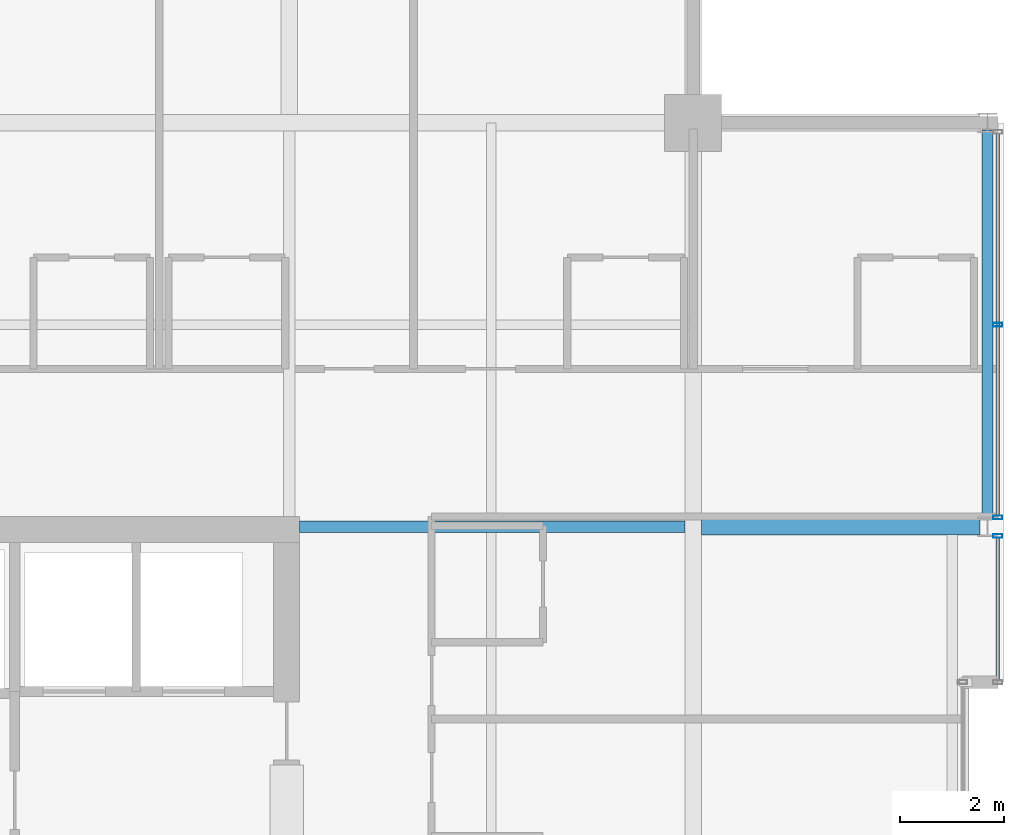
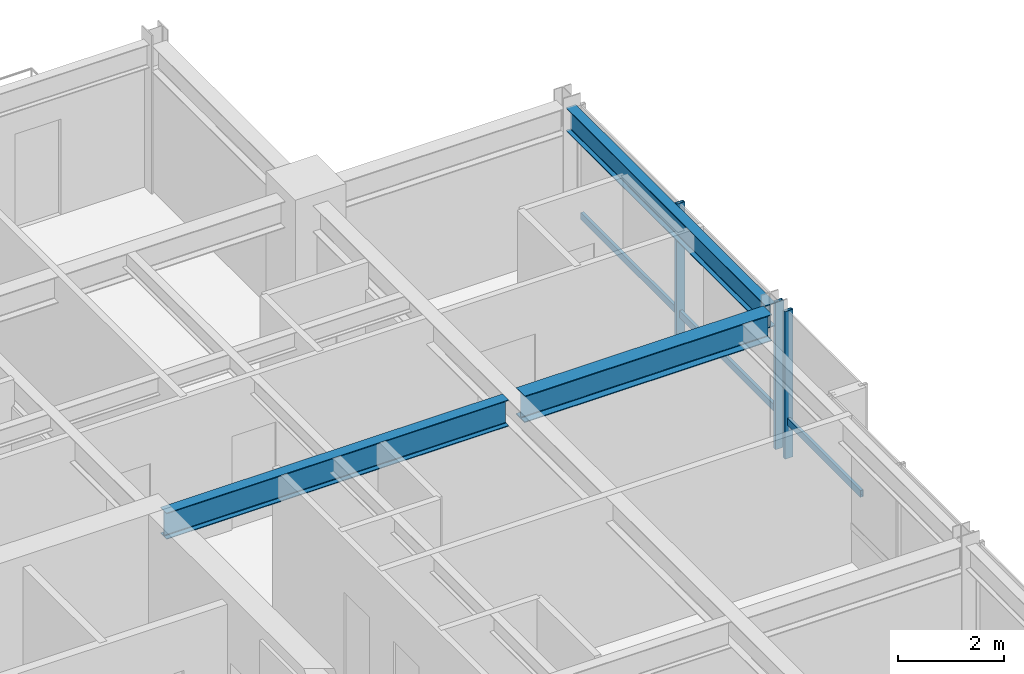
# One storey, part 22 of 32: 5 members, 3 beams, 2 elements without a shape of their own.
"""IFC4 building model written with IfcOpenShell, lengths in metres."""

from ifc_helpers import new_model, si_unit, direction, frame, origin, origin_2d, place, context, subcontext, project, spatial, hollow_rectangle, i_section, extrude, material, layer, layer_set, material_profile, profile_set, type_object, element, aggregate, save


model = new_model("IFC4")

# Units and contexts
model_context = context("Model", 3, precision=1e-05, world=origin(), true_north=direction((0.0, 1.0)))
body_context = subcontext(model_context, "Body", "Model", "MODEL_VIEW")
ifc_project = project(units=[si_unit("LENGTHUNIT", "METRE"), si_unit("AREAUNIT", "SQUARE_METRE"), si_unit("VOLUMEUNIT", "CUBIC_METRE"), si_unit("PLANEANGLEUNIT", "RADIAN"), si_unit("MASSUNIT", "GRAM", prefix="KILO")], contexts=[model_context])

# Site, building, storey
site_placement = place(None, origin())
site = spatial("IfcSite", under=ifc_project, at=site_placement, CompositionType="ELEMENT")
building_placement = place(site_placement, origin())
building = spatial("IfcBuilding", under=site, at=building_placement, Name="Drelvath Grand Hotel", CompositionType="ELEMENT")
storey_placement = place(building_placement, frame((0.0, 0.0, 265.0)))
storey = spatial("IfcBuildingStorey", under=building, at=storey_placement, Name="L69", CompositionType="ELEMENT", Elevation=265.0)

# Curtain wall, member
ifc_material_1 = material(Name="Platinum-Mist Anodised Aluminium Frame", Category="aluminium")
ifc_layer = layer(ifc_material_1, 0.199951171875)
ifc_layer_set = layer_set([ifc_layer], Name="Platinum-Mist Anodised Aluminium Frame")
curtain_wall_type = type_object("IfcCurtainWallType", Name="Stick Curtain Wall CW-05 Platinum Mist High-Rise", PredefinedType="NOTDEFINED", material=ifc_layer_set)
curtain_wall_1_placement = place(storey_placement, origin())
curtain_wall_1 = element("IfcCurtainWall", 1, at=curtain_wall_1_placement, inside=storey, type_object=curtain_wall_type, Name="L69 CW-05 Curtain Wall CW05-L69-EN1", PredefinedType="NOTDEFINED")
ifc_material_profile_1 = material_profile(ifc_material_1, hollow_rectangle(XDim=0.06494140625, YDim=0.159912109375, WallThickness=0.00390625, at=origin_2d()), Name="HSS160X65X4")
ifc_profile_set_1 = profile_set([ifc_material_profile_1], Name="Platinum-Mist Anodised Aluminium Frame")
member_type_1 = type_object("IfcMemberType", Name="Curtain Wall Horizontal Transom CW-05 HSS160X65X4", PredefinedType="USERDEFINED", material=ifc_profile_set_1)
member_1_placement = place(storey_placement, frame((22.080078125, 35.181884765625, 0.847412109375), z_axis=(0.0, -1.0, 0.0), x_axis=(1.0, 0.0, 0.0)))
member_1 = element("IfcMember", 2, at=member_1_placement, type_object=member_type_1, Name="CW05-L69-EN1 Sill Transom", ObjectType="TRANSOM", PredefinedType="USERDEFINED", context=body_context, shape_type="SweptSolid", body=[
    extrude(hollow_rectangle(XDim=0.06494140625, YDim=0.159912109375, WallThickness=0.00390625, at=origin_2d()), origin(), (0.0, 0.0, 1.0), 2.741943359375),
])

curtain_wall_2_placement = place(storey_placement, origin())
curtain_wall_2 = element("IfcCurtainWall", 3, at=curtain_wall_2_placement, inside=storey, type_object=curtain_wall_type, Name="L69 CW-05 Curtain Wall CW05-L69-EN2", PredefinedType="NOTDEFINED")
member_2_placement = place(storey_placement, frame((22.080078125, 42.981689453125, 0.847412109375), z_axis=(0.0, -1.0, 0.0), x_axis=(1.0, 0.0, 0.0)))
member_2 = element("IfcMember", 4, at=member_2_placement, type_object=member_type_1, Name="CW05-L69-EN2 Sill Transom", ObjectType="TRANSOM", PredefinedType="USERDEFINED", context=body_context, shape_type="SweptSolid", body=[
    extrude(hollow_rectangle(XDim=0.06494140625, YDim=0.159912109375, WallThickness=0.00390625, at=origin_2d()), origin(), (0.0, 0.0, 1.0), 7.363525390625),
])

# Member
ifc_material_profile_2 = material_profile(ifc_material_1, hollow_rectangle(XDim=0.074951171875, YDim=0.179931640625, WallThickness=0.0048828125, at=origin_2d()), Name="HSS180X75X5")
ifc_profile_set_2 = profile_set([ifc_material_profile_2], Name="Platinum-Mist Anodised Aluminium Frame")
member_type_2 = type_object("IfcMemberType", Name="Curtain Wall Vertical Mullion CW-05 HSS180X75X5", PredefinedType="MULLION", material=ifc_profile_set_2)
member_3_placement = place(storey_placement, frame((22.080078125, 35.2216796875, 0.0), z_axis=(0.0, 0.0, 1.0), x_axis=(0.0, 1.0, 0.0)))
member_3 = element("IfcMember", 5, at=member_3_placement, type_object=member_type_2, Name="CW05-L69-EN1 Mullion 1", PredefinedType="MULLION", context=body_context, shape_type="SweptSolid", body=[
    extrude(hollow_rectangle(XDim=0.074951171875, YDim=0.179931640625, WallThickness=0.0048828125, at=origin_2d()), origin(), (0.0, 0.0, 1.0), 3.389892578125),
])

aggregate(curtain_wall_1, [member_3, member_1])

member_4_placement = place(storey_placement, frame((22.080078125, 39.300048828125, 0.0), z_axis=(0.0, 0.0, 1.0), x_axis=(0.0, 1.0, 0.0)))
member_4 = element("IfcMember", 6, at=member_4_placement, type_object=member_type_2, Name="CW05-L69-EN2 Mullion 2", PredefinedType="MULLION", context=body_context, shape_type="SweptSolid", body=[
    extrude(hollow_rectangle(XDim=0.074951171875, YDim=0.179931640625, WallThickness=0.0048828125, at=origin_2d()), origin(), (0.0, 0.0, 1.0), 3.389892578125),
])

member_5_placement = place(storey_placement, frame((22.080078125, 35.578125, 0.0), z_axis=(0.0, 0.0, 1.0), x_axis=(0.0, 1.0, 0.0)))
member_5 = element("IfcMember", 7, at=member_5_placement, type_object=member_type_2, Name="CW05-L69-EN2 Mullion 3", PredefinedType="MULLION", context=body_context, shape_type="SweptSolid", body=[
    extrude(hollow_rectangle(XDim=0.074951171875, YDim=0.179931640625, WallThickness=0.0048828125, at=origin_2d()), origin(), (0.0, 0.0, 1.0), 3.389892578125),
])

aggregate(curtain_wall_2, [member_4, member_5, member_2])

# Beams
ifc_material_2 = material(Name="Steel ASTM A992 Gr 50", Category="steel")
ifc_material_profile_3 = material_profile(ifc_material_2, i_section(OverallWidth=0.210205078125, OverallDepth=0.53662109375, WebThickness=0.010986328125, FlangeThickness=0.017333984375, FilletRadius=0.01806640625, at=origin_2d()), Name="W21X68")
ifc_profile_set_3 = profile_set([ifc_material_profile_3], Name="Steel ASTM A992 Gr 50")
beam_type_1 = type_object("IfcBeamType", Name="Perimeter Spandrel Beam W21X68", PredefinedType="SPANDREL", material=ifc_profile_set_3)
beam_1_placement = place(storey_placement, frame((21.8798828125, 35.5400390625, 3.12158203125), z_axis=(0.0, 1.0, 0.0), x_axis=(-1.0, 0.0, 0.0)))
element("IfcBeam", 8, at=beam_1_placement, inside=storey, type_object=beam_type_1, Name="L69 Spandrel East N", PredefinedType="SPANDREL", context=body_context, shape_type="SweptSolid", body=[
    extrude(i_section(OverallWidth=0.210205078125, OverallDepth=0.53662109375, WebThickness=0.010986328125, FlangeThickness=0.017333984375, FilletRadius=0.01806640625, at=origin_2d()), origin(), (0.0, 0.0, 1.0), 7.52001953125),
])
ifc_material_profile_4 = material_profile(ifc_material_2, i_section(OverallWidth=0.323974609375, OverallDepth=0.611083984375, WebThickness=0.0126953125, FlangeThickness=0.01904296875, FilletRadius=0.02197265625, at=origin_2d()), Name="W24X104")
ifc_profile_set_4 = profile_set([ifc_material_profile_4], Name="Steel ASTM A992 Gr 50")
beam_type_2 = type_object("IfcBeamType", Name="Primary Floor Girder W24X104", PredefinedType="BEAM", material=ifc_profile_set_4)
beam_2_placement = place(storey_placement, frame((16.362060546875, 35.39990234375, 3.08447265625), z_axis=(1.0, 0.0, 0.0), x_axis=(0.0, 1.0, 0.0)))
element("IfcBeam", 9, at=beam_2_placement, inside=storey, type_object=beam_type_2, Name="L69 East Wing Girder F", PredefinedType="BEAM", context=body_context, shape_type="SweptSolid", body=[
    extrude(i_section(OverallWidth=0.323974609375, OverallDepth=0.611083984375, WebThickness=0.0126953125, FlangeThickness=0.01904296875, FilletRadius=0.02197265625, at=origin_2d()), origin(), (0.0, 0.0, 1.0), 5.3779296875),
])
ifc_material_profile_5 = material_profile(ifc_material_2, i_section(OverallWidth=0.228271484375, OverallDepth=0.607666015625, WebThickness=0.01123046875, FlangeThickness=0.017333984375, FilletRadius=0.02001953125, at=origin_2d()), Name="W24X76")
ifc_profile_set_5 = profile_set([ifc_material_profile_5], Name="Steel ASTM A992 Gr 50")
beam_type_3 = type_object("IfcBeamType", Name="Primary Floor Girder W24X76", PredefinedType="BEAM", material=ifc_profile_set_5)
beam_3_placement = place(storey_placement, frame((8.60009765625, 35.39990234375, 3.086181640625), z_axis=(1.0, 0.0, 0.0), x_axis=(0.0, 1.0, 0.0)))
element("IfcBeam", 10, at=beam_3_placement, inside=storey, type_object=beam_type_3, Name="L69 East Core Tie F", PredefinedType="BEAM", context=body_context, shape_type="SweptSolid", body=[
    extrude(i_section(OverallWidth=0.228271484375, OverallDepth=0.607666015625, WebThickness=0.01123046875, FlangeThickness=0.017333984375, FilletRadius=0.02001953125, at=origin_2d()), origin(), (0.0, 0.0, 1.0), 7.43798828125),
])

save(model, "model.ifc")
